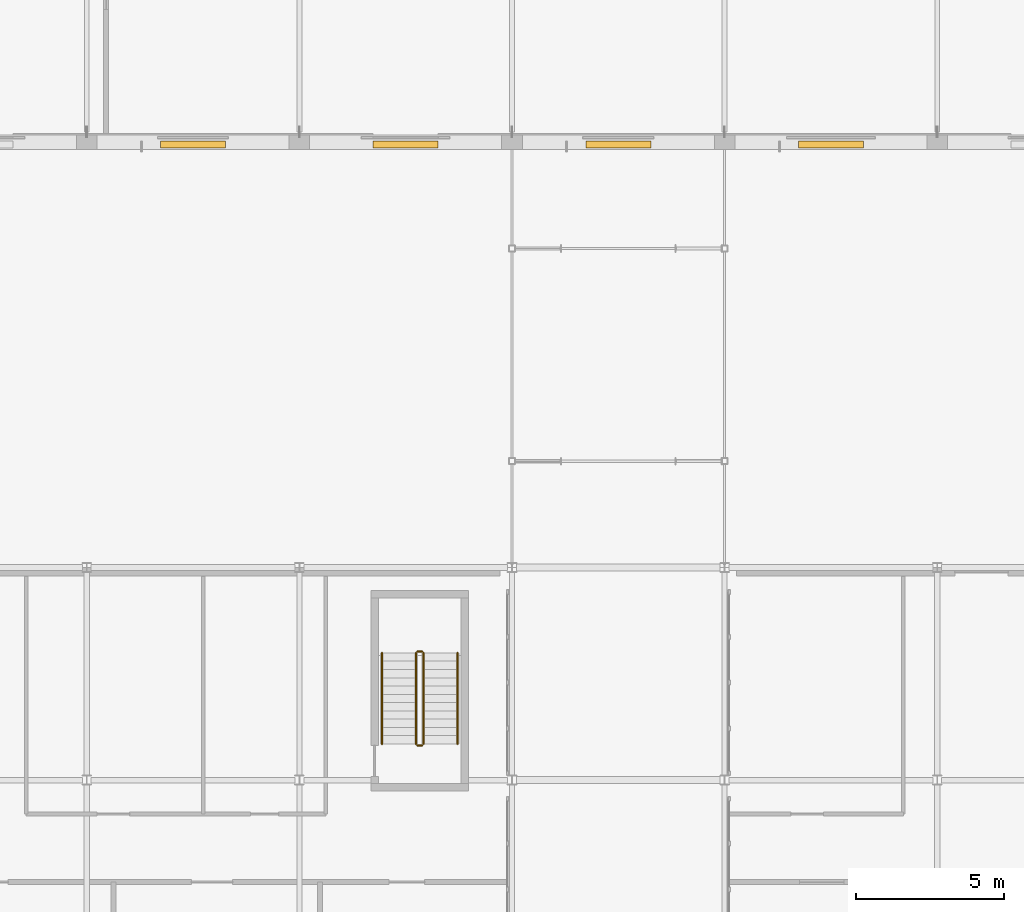
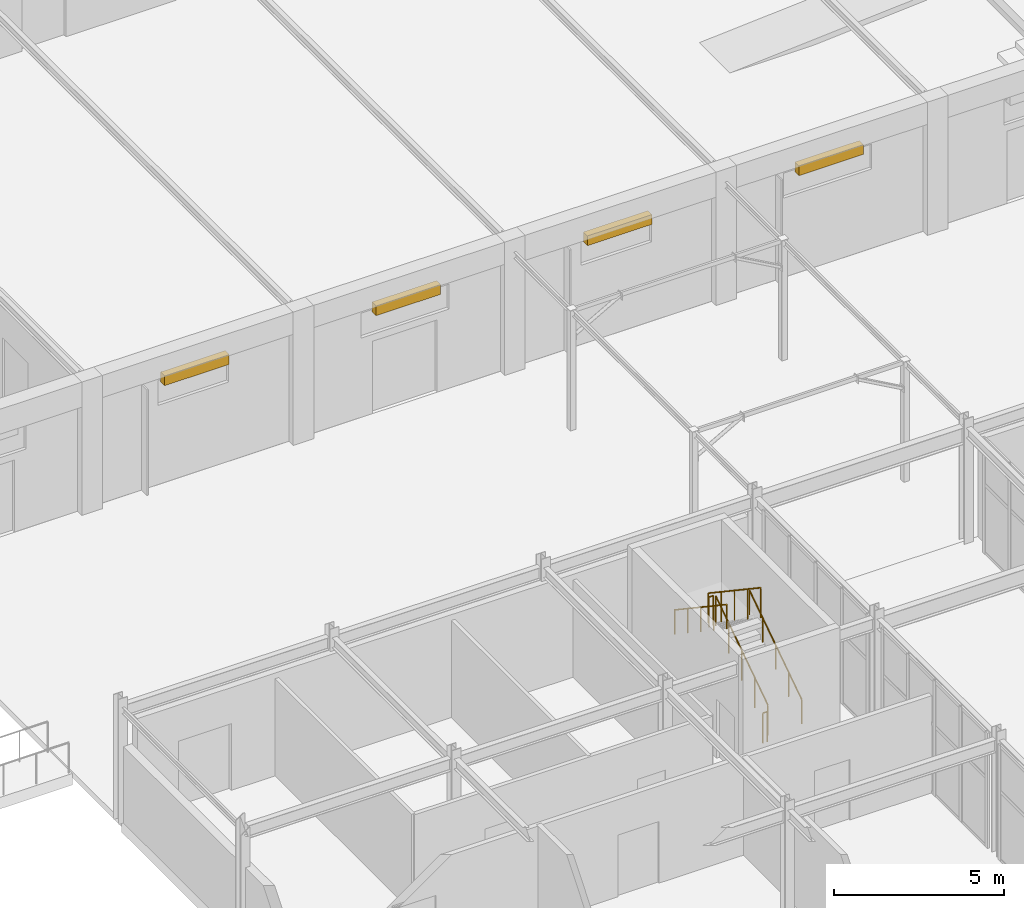
# One storey, part 75 of 85: 6 railings, 4 shading devices.
"""IFC4 building model written with IfcOpenShell, lengths in metres."""

from ifc_helpers import new_model, si_unit, direction, frame, origin, origin_2d, place, context, subcontext, project, spatial, rectangle, circle, extrude, material, type_object, element, save


model = new_model("IFC4")

# Units and contexts
model_context = context("Model", 3, precision=1e-05, world=origin(), true_north=direction((0.0, 1.0)))
body_context = subcontext(model_context, "Body", "Model", "MODEL_VIEW")
ifc_project = project(units=[si_unit("LENGTHUNIT", "METRE"), si_unit("AREAUNIT", "SQUARE_METRE"), si_unit("VOLUMEUNIT", "CUBIC_METRE"), si_unit("PLANEANGLEUNIT", "RADIAN"), si_unit("MASSUNIT", "GRAM", prefix="KILO")], contexts=[model_context])

# Site, building, storey
site_placement = place(None, origin())
site = spatial("IfcSite", under=ifc_project, at=site_placement, CompositionType="ELEMENT")
building_placement = place(site_placement, origin())
building = spatial("IfcBuilding", under=site, at=building_placement, Name="Ochrevale Crest", CompositionType="ELEMENT")
storey_placement = place(building_placement, origin())
storey = spatial("IfcBuildingStorey", under=building, at=storey_placement, Name="L00", CompositionType="ELEMENT", Elevation=0.0)

# Railings
ifc_material_1 = material(Name="Galvanised steel", Category="steel")
railing_type_1 = type_object("IfcRailingType", Name="RL-ST-GUARD", PredefinedType="BALUSTRADE", material=ifc_material_1)
railing_1_placement = place(storey_placement, frame((76.199951171875, 22.824951171875, 0.1875)))
element("IfcRailing", 1, at=railing_1_placement, inside=storey, type_object=railing_type_1, Name="L00 ST-R1 stair guard 1", PredefinedType="BALUSTRADE", context=body_context, shape_type="SweptSolid", body=[
    extrude(circle(Radius=0.02392578125, at=origin_2d()), frame((0.0, 0.0, 1.076171875), z_axis=(0.0, 0.830913701846, 0.55640131208), x_axis=(-1.0, 0.0, 0.0)), (0.0, 0.0, 1.0), 3.706787109375),
    extrude(circle(Radius=0.02099609375, at=origin_2d()), origin(), (0.0, 0.0, 1.0), 1.052001953125),
    extrude(circle(Radius=0.02099609375, at=origin_2d()), frame((0.0, 0.77001953125, 0.515625)), (0.0, 0.0, 1.0), 1.052001953125),
    extrude(circle(Radius=0.02099609375, at=origin_2d()), frame((0.0, 1.5400390625, 1.03125)), (0.0, 0.0, 1.0), 1.052001953125),
    extrude(circle(Radius=0.02099609375, at=origin_2d()), frame((0.0, 2.31005859375, 1.546875)), (0.0, 0.0, 1.0), 1.052001953125),
    extrude(circle(Radius=0.02099609375, at=origin_2d()), frame((0.0, 3.080078125, 2.0625)), (0.0, 0.0, 1.0), 1.052001953125),
])
railing_2_placement = place(storey_placement, frame((76.14990234375, 25.955078125, 2.25)))
element("IfcRailing", 2, at=railing_2_placement, inside=storey, type_object=railing_type_1, Name="L00 ST-R1 stair guard 2", PredefinedType="BALUSTRADE", context=body_context, shape_type="SweptSolid", body=[
    extrude(circle(Radius=0.02392578125, at=origin_2d()), frame((0.0, 0.0, 1.076171875), z_axis=(-1.0, 0.0, 0.0), x_axis=(0.0, -1.0, 0.0)), (0.0, 0.0, 1.0), 0.14990234375),
    extrude(circle(Radius=0.02099609375, at=origin_2d()), origin(), (0.0, 0.0, 1.0), 1.052001953125),
    extrude(circle(Radius=0.02099609375, at=origin_2d()), frame((-0.14990234375, 0.0, 0.0)), (0.0, 0.0, 1.0), 1.052001953125),
])
railing_3_placement = place(storey_placement, frame((75.949951171875, 25.905029296875, 2.4375)))
element("IfcRailing", 3, at=railing_3_placement, inside=storey, type_object=railing_type_1, Name="L00 ST-R1 stair guard 3", PredefinedType="BALUSTRADE", context=body_context, shape_type="SweptSolid", body=[
    extrude(circle(Radius=0.02392578125, at=origin_2d()), frame((0.0, 0.0, 1.076171875), z_axis=(0.0, -0.830913701846, 0.55640131208), x_axis=(1.0, 0.0, 0.0)), (0.0, 0.0, 1.0), 3.706787109375),
    extrude(circle(Radius=0.02099609375, at=origin_2d()), origin(), (0.0, 0.0, 1.0), 1.052001953125),
    extrude(circle(Radius=0.02099609375, at=origin_2d()), frame((0.0, -0.77001953125, 0.515625)), (0.0, 0.0, 1.0), 1.052001953125),
    extrude(circle(Radius=0.02099609375, at=origin_2d()), frame((0.0, -1.5400390625, 1.03125)), (0.0, 0.0, 1.0), 1.052001953125),
    extrude(circle(Radius=0.02099609375, at=origin_2d()), frame((0.0, -2.31005859375, 1.546875)), (0.0, 0.0, 1.0), 1.052001953125),
    extrude(circle(Radius=0.02099609375, at=origin_2d()), frame((0.0, -3.080078125, 2.0625)), (0.0, 0.0, 1.0), 1.052001953125),
])
railing_4_placement = place(storey_placement, frame((76.14990234375, 22.77490234375, 0.0)))
element("IfcRailing", 4, at=railing_4_placement, inside=storey, type_object=railing_type_1, Name="L00 ST-R1 stair guard 4", PredefinedType="BALUSTRADE", context=body_context, shape_type="SweptSolid", body=[
    extrude(circle(Radius=0.02392578125, at=origin_2d()), frame((0.0, 0.0, 1.076171875), z_axis=(-1.0, 0.0, 0.0), x_axis=(0.0, -1.0, 0.0)), (0.0, 0.0, 1.0), 0.14990234375),
    extrude(circle(Radius=0.02099609375, at=origin_2d()), origin(), (0.0, 0.0, 1.0), 1.052001953125),
    extrude(circle(Radius=0.02099609375, at=origin_2d()), frame((-0.14990234375, 0.0, 0.0)), (0.0, 0.0, 1.0), 1.052001953125),
])
ifc_material_2 = material(Name="Stainless steel", Category="steel")
railing_type_2 = type_object("IfcRailingType", Name="RL-ST-HRAIL", PredefinedType="HANDRAIL", material=ifc_material_2)
railing_5_placement = place(storey_placement, frame((77.35009765625, 22.824951171875, 0.1875)))
element("IfcRailing", 5, at=railing_5_placement, inside=storey, type_object=railing_type_2, Name="L00 ST-R1 stair handrail 1", PredefinedType="HANDRAIL", context=body_context, shape_type="SweptSolid", body=[
    extrude(circle(Radius=0.02392578125, at=origin_2d()), frame((0.0, 0.0, 0.8759765625), z_axis=(0.0, 0.830913701846, 0.55640131208), x_axis=(-1.0, 0.0, 0.0)), (0.0, 0.0, 1.0), 3.706787109375),
    extrude(circle(Radius=0.02099609375, at=origin_2d()), origin(), (0.0, 0.0, 1.0), 0.851806640625),
    extrude(circle(Radius=0.02099609375, at=origin_2d()), frame((0.0, 0.77001953125, 0.515625)), (0.0, 0.0, 1.0), 0.851806640625),
    extrude(circle(Radius=0.02099609375, at=origin_2d()), frame((0.0, 1.5400390625, 1.03125)), (0.0, 0.0, 1.0), 0.851806640625),
    extrude(circle(Radius=0.02099609375, at=origin_2d()), frame((0.0, 2.31005859375, 1.546875)), (0.0, 0.0, 1.0), 0.851806640625),
    extrude(circle(Radius=0.02099609375, at=origin_2d()), frame((0.0, 3.080078125, 2.0625)), (0.0, 0.0, 1.0), 0.851806640625),
])
railing_6_placement = place(storey_placement, frame((74.800048828125, 25.905029296875, 2.4375)))
element("IfcRailing", 6, at=railing_6_placement, inside=storey, type_object=railing_type_2, Name="L00 ST-R1 stair handrail 2", PredefinedType="HANDRAIL", context=body_context, shape_type="SweptSolid", body=[
    extrude(circle(Radius=0.02392578125, at=origin_2d()), frame((0.0, 0.0, 0.8759765625), z_axis=(0.0, -0.830913701846, 0.55640131208), x_axis=(1.0, 0.0, 0.0)), (0.0, 0.0, 1.0), 3.706787109375),
    extrude(circle(Radius=0.02099609375, at=origin_2d()), origin(), (0.0, 0.0, 1.0), 0.851806640625),
    extrude(circle(Radius=0.02099609375, at=origin_2d()), frame((0.0, -0.77001953125, 0.515625)), (0.0, 0.0, 1.0), 0.851806640625),
    extrude(circle(Radius=0.02099609375, at=origin_2d()), frame((0.0, -1.5400390625, 1.03125)), (0.0, 0.0, 1.0), 0.851806640625),
    extrude(circle(Radius=0.02099609375, at=origin_2d()), frame((0.0, -2.31005859375, 1.546875)), (0.0, 0.0, 1.0), 0.851806640625),
    extrude(circle(Radius=0.02099609375, at=origin_2d()), frame((0.0, -3.080078125, 2.0625)), (0.0, 0.0, 1.0), 0.851806640625),
])

# Shading devices
ifc_material_3 = material(Name="Anodised aluminium 6063-T5", Category="aluminium")
shading_device_type = type_object("IfcShadingDeviceType", Name="SHD-LOUVRE-AL", PredefinedType="JALOUSIE", material=ifc_material_3)
for number, where, z_axis, x_axis, name in (
    (7, (68.39990234375, 43.1201171875, 3.64501953125), (0.0, 0.0, 1.0), (1.0, 0.0, 0.0), "Community Hall S bronze sun-control louvre 2"),
    (8, (75.60009765625, 43.1201171875, 3.64501953125), (0.0, 0.0, 1.0), (1.0, 0.0, 0.0), "Community Hall S bronze sun-control louvre 3"),
    (9, (82.800048828125, 43.1201171875, 3.64501953125), (0.0, 0.0, 1.0), (1.0, 0.0, 0.0), "Community Hall S bronze sun-control louvre 4"),
    (10, (90.0, 43.1201171875, 3.64501953125), (0.0, 0.0, 1.0), (1.0, 0.0, 0.0), "Community Hall S bronze sun-control louvre 5"),
):
    element("IfcShadingDevice", number, at=place(storey_placement, frame(where, z_axis=z_axis, x_axis=x_axis)), inside=storey, type_object=shading_device_type, Name=name, PredefinedType="JALOUSIE", context=body_context, shape_type="SweptSolid", body=[
        extrude(rectangle(XDim=2.199951171875, YDim=0.239990234375, at=origin_2d()), origin(), (0.0, 0.0, 1.0), 0.35009765625),
    ])

save(model, "model.ifc")
